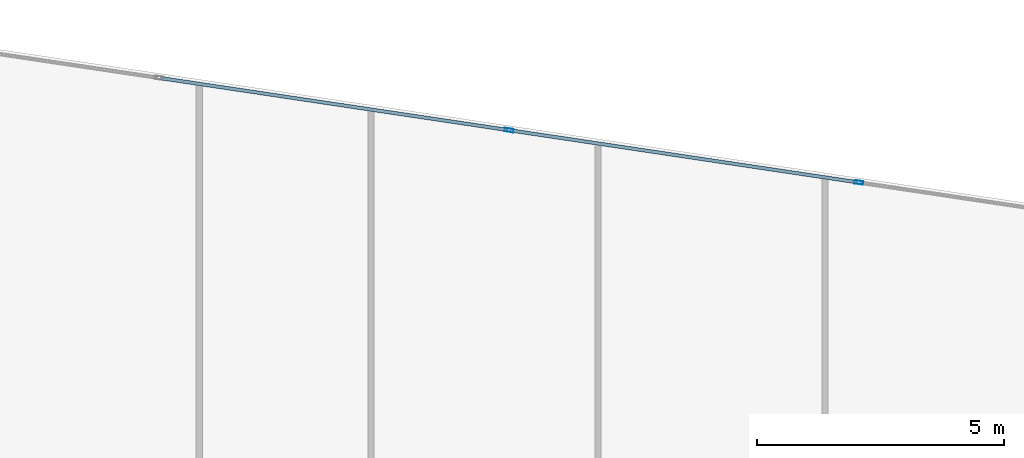
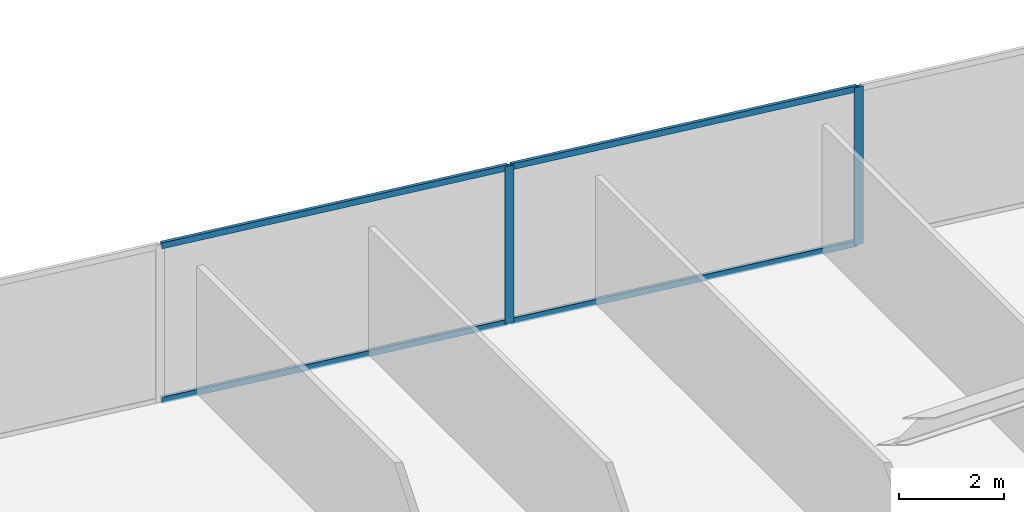
# One storey, part 19 of 29: 6 members, 1 element without a shape of its own.
"""IFC4 building model written with IfcOpenShell, lengths in metres."""

from ifc_helpers import new_model, si_unit, direction, frame, origin, origin_2d, place, context, subcontext, project, spatial, hollow_rectangle, extrude, source, transform, mapped, material, material_profile, profile_set, type_object, type_shapes, element, aggregate, save


model = new_model("IFC4")

# Units and contexts
model_context = context("Model", 3, precision=1e-05, world=origin(), true_north=direction((0.0, 1.0)))
body_context = subcontext(model_context, "Body", "Model", "MODEL_VIEW")
ifc_project = project(units=[si_unit("LENGTHUNIT", "METRE"), si_unit("AREAUNIT", "SQUARE_METRE"), si_unit("VOLUMEUNIT", "CUBIC_METRE"), si_unit("PLANEANGLEUNIT", "RADIAN"), si_unit("MASSUNIT", "GRAM", prefix="KILO")], contexts=[model_context])

# Site, building, storey
site_placement = place(None, origin())
site = spatial("IfcSite", under=ifc_project, at=site_placement, CompositionType="ELEMENT")
building_placement = place(site_placement, origin())
building = spatial("IfcBuilding", under=site, at=building_placement, Name="Krantzveldt Concourse Tower", CompositionType="ELEMENT")
storey_placement = place(building_placement, frame((0.0, 0.0, 68.449951171875)))
storey = spatial("IfcBuildingStorey", under=building, at=storey_placement, Name="L16", CompositionType="ELEMENT", Elevation=68.449951171875)

# Curtain wall, members
ifc_material = material(Name="Anodised aluminium 6063-T6", Category="aluminium")
curtain_wall_type = type_object("IfcCurtainWallType", Name="CW2", PredefinedType="USERDEFINED", material=ifc_material)
curtain_wall_placement = place(storey_placement, origin())
curtain_wall = element("IfcCurtainWall", 1, at=curtain_wall_placement, inside=storey, type_object=curtain_wall_type, Name="CW-L16-F10", ObjectType="UNITISED CURTAIN WALL", PredefinedType="USERDEFINED")
ifc_material_profile_1 = material_profile(ifc_material, hollow_rectangle(XDim=0.070068359375, YDim=0.179931640625, WallThickness=0.0048828125, at=origin_2d()), Name="Anodised aluminium 6063-T6", Category="aluminium")
ifc_profile_set_1 = profile_set([ifc_material_profile_1], Name="Anodised aluminium 6063-T6 - ALU-MULL 180x70x5")
member_type_1 = type_object("IfcMemberType", Name="CW-MUL-180", PredefinedType="MULLION", material=ifc_profile_set_1)
shared_shape_1 = source(origin(), body_context, "Body", "SweptSolid", [
    extrude(hollow_rectangle(XDim=0.070068359375, YDim=0.179931640625, WallThickness=0.0048828125, at=origin_2d()), origin(), (0.0, 0.0, 1.0), 3.670166015625),
])
type_shapes(member_type_1, [shared_shape_1])
member_1_placement = place(storey_placement, frame((39.681884765625, 51.33642578125, 0.0), z_axis=(0.0, 0.0, 1.0), x_axis=(-0.147809505412, -0.989015849271, 0.0)))
member_1 = element("IfcMember", 2, at=member_1_placement, type_object=member_type_1, Name="CW-Z12 mullion 4", PredefinedType="MULLION", context=body_context, shape_type="MappedRepresentation", body=[
    mapped(shared_shape_1, transform((0.0, 0.0, 0.0), x_axis=(1.0, 0.0, 0.0), y_axis=(0.0, 1.0, 0.0), z_axis=(0.0, 0.0, 1.0), scale=1.0)),
])
member_2_placement = place(storey_placement, frame((32.593994140625, 52.395751953125, 0.0), z_axis=(0.0, 0.0, 1.0), x_axis=(-0.147809505412, -0.989015849271, 0.0)))
member_2 = element("IfcMember", 3, at=member_2_placement, type_object=member_type_1, Name="CW-Z12 mullion 5", PredefinedType="MULLION", context=body_context, shape_type="MappedRepresentation", body=[
    mapped(shared_shape_1, transform((0.0, 0.0, 0.0), x_axis=(1.0, 0.0, 0.0), y_axis=(0.0, 1.0, 0.0), z_axis=(0.0, 0.0, 1.0), scale=1.0)),
])
ifc_material_profile_2 = material_profile(ifc_material, hollow_rectangle(XDim=0.070068359375, YDim=0.139892578125, WallThickness=0.0048828125, at=origin_2d()), Name="Anodised aluminium 6063-T6", Category="aluminium")
ifc_profile_set_2 = profile_set([ifc_material_profile_2], Name="Anodised aluminium 6063-T6 - ALU-TRAN 140x70x5")
member_type_2 = type_object("IfcMemberType", Name="CW-TRN-150", PredefinedType="USERDEFINED", material=ifc_profile_set_2)
shared_shape_2 = source(origin(), body_context, "Body", "SweptSolid", [
    extrude(hollow_rectangle(XDim=0.070068359375, YDim=0.139892578125, WallThickness=0.0048828125, at=origin_2d()), origin(), (0.0, 0.0, 1.0), 7.096435546875),
])
type_shapes(member_type_2, [shared_shape_2])
member_3_placement = place(storey_placement, frame((39.647216796875, 51.341552734375, 0.03515625), z_axis=(-0.989012933084, 0.147829016748, 0.0), x_axis=(-0.147829016748, -0.989012933084, 0.0)))
member_3 = element("IfcMember", 4, at=member_3_placement, type_object=member_type_2, Name="CW-Z12 transom 4.1", ObjectType="TRANSOM", PredefinedType="USERDEFINED", context=body_context, shape_type="MappedRepresentation", body=[
    mapped(shared_shape_2, transform((0.0, 0.0, 0.0), x_axis=(1.0, 0.0, 0.0), y_axis=(0.0, 1.0, 0.0), z_axis=(0.0, 0.0, 1.0), scale=1.0)),
])
member_4_placement = place(storey_placement, frame((39.647216796875, 51.341552734375, 3.635009765625), z_axis=(-0.989012933084, 0.147829016748, 0.0), x_axis=(-0.147829016748, -0.989012933084, 0.0)))
member_4 = element("IfcMember", 5, at=member_4_placement, type_object=member_type_2, Name="CW-Z12 transom 4.2", ObjectType="TRANSOM", PredefinedType="USERDEFINED", context=body_context, shape_type="MappedRepresentation", body=[
    mapped(shared_shape_2, transform((0.0, 0.0, 0.0), x_axis=(1.0, 0.0, 0.0), y_axis=(0.0, 1.0, 0.0), z_axis=(0.0, 0.0, 1.0), scale=1.0)),
])
member_5_placement = place(storey_placement, frame((32.559326171875, 52.40087890625, 0.03515625), z_axis=(-0.989017962398, 0.147795365468, 0.0), x_axis=(-0.147795365468, -0.989017962398, 0.0)))
member_5 = element("IfcMember", 6, at=member_5_placement, type_object=member_type_2, Name="CW-Z12 transom 5.1", ObjectType="TRANSOM", PredefinedType="USERDEFINED", context=body_context, shape_type="MappedRepresentation", body=[
    mapped(shared_shape_2, transform((0.0, 0.0, 0.0), x_axis=(1.0, 0.0, 0.0), y_axis=(0.0, 1.0, 0.0), z_axis=(0.0, 0.0, 1.0), scale=1.0)),
])
member_6_placement = place(storey_placement, frame((32.559326171875, 52.40087890625, 3.635009765625), z_axis=(-0.989017962398, 0.147795365468, 0.0), x_axis=(-0.147795365468, -0.989017962398, 0.0)))
member_6 = element("IfcMember", 7, at=member_6_placement, type_object=member_type_2, Name="CW-Z12 transom 5.2", ObjectType="TRANSOM", PredefinedType="USERDEFINED", context=body_context, shape_type="MappedRepresentation", body=[
    mapped(shared_shape_2, transform((0.0, 0.0, 0.0), x_axis=(1.0, 0.0, 0.0), y_axis=(0.0, 1.0, 0.0), z_axis=(0.0, 0.0, 1.0), scale=1.0)),
])
aggregate(curtain_wall, [member_1, member_2, member_3, member_4, member_5, member_6])

save(model, "model.ifc")
